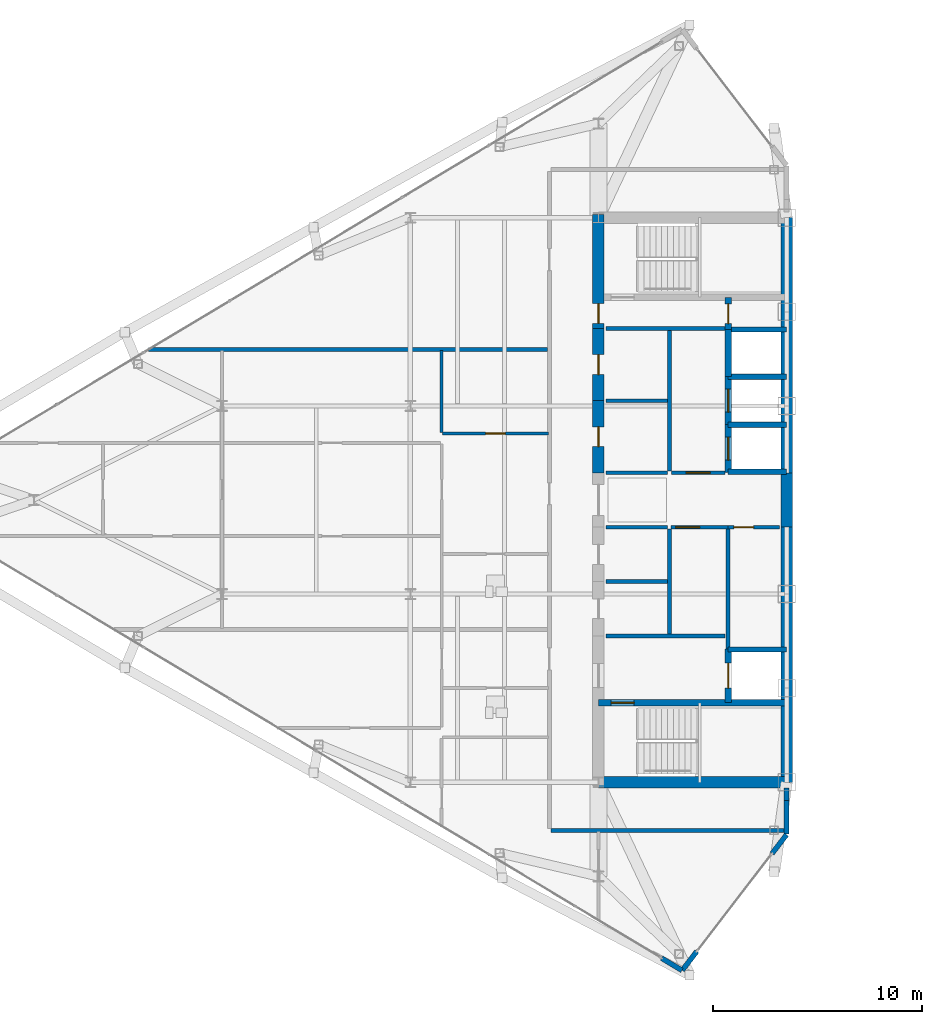
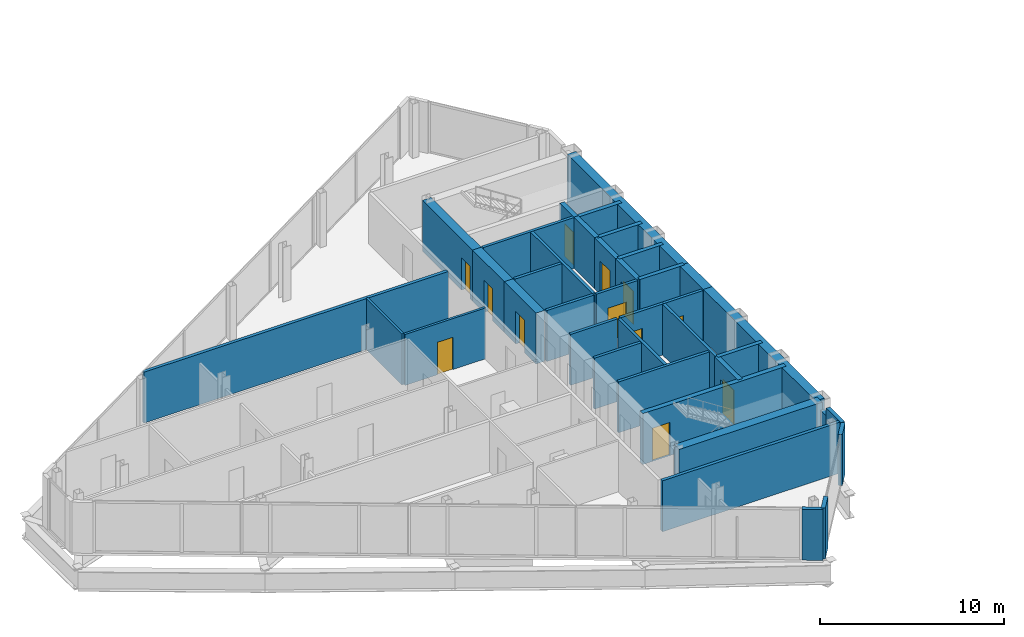
# One storey, part 22 of 29: 39 walls, 12 doors, 12 openings.
"""IFC4 building model written with IfcOpenShell, lengths in metres."""

import ifcopenshell
import ifcopenshell.guid

model = None  # the IFC model being written
_history = None  # IfcOwnerHistory: only IFC2X3 demands one
_inside = {}  # id of a spatial element -> (the spatial element, [elements in it])
_under = {}  # id of a project, library or spatial element -> (it, [spatial elements below it])
_declared = {}  # id of a project -> (the project, [libraries it declares])
_typed = {}  # id of a type object -> (the type object, [elements of that type])
_made_of = {}  # id of a material, layer set ... -> (it, [elements and type objects made of it])


def new_model(schema):
    """Start an empty IFC model of exactly this schema.

    Asked for "IFC4X3", IfcOpenShell would pick the latest addendum, in which some entities
    have other attributes; the version numbers below select the first issue.
    IFC2X3 requires an IfcOwnerHistory on every rooted entity: one is made here for all.
    """
    global model, _history
    if schema == "IFC4X3":
        model = ifcopenshell.file(schema_version=(4, 3, 0, 0))
    else:
        model = ifcopenshell.file(schema=schema)
    _inside.clear()
    _under.clear()
    _declared.clear()
    _typed.clear()
    _made_of.clear()
    _history = None
    if model.schema == "IFC2X3":
        org = make("IfcOrganization", Name="unknown")
        user = make(
            "IfcPersonAndOrganization",
            ThePerson=make("IfcPerson", FamilyName="unknown"),
            TheOrganization=org,
        )
        app = make(
            "IfcApplication",
            ApplicationDeveloper=org,
            Version="unknown",
            ApplicationFullName="unknown",
            ApplicationIdentifier="unknown",
        )
        _history = make(
            "IfcOwnerHistory",
            OwningUser=user,
            OwningApplication=app,
            ChangeAction="ADDED",
            CreationDate=0,
        )
    return model


def make(cls, **values):
    """One entity of the class cls with the attributes given. An attribute that is None is left unset."""
    return model.create_entity(
        cls, **{name: value for name, value in values.items() if value is not None}
    )


def rooted(cls, **values):
    """An entity with a GlobalId (a new one), such as an element, a storey or a relation."""
    return make(cls, GlobalId=ifcopenshell.guid.new(), OwnerHistory=_history, **values)


def si_unit(unit_type, name, prefix=None):
    """IfcSIUnit, for example si_unit("LENGTHUNIT", "METRE", prefix="MILLI")."""
    return make("IfcSIUnit", UnitType=unit_type, Prefix=prefix, Name=name)


def assignment(units):
    """IfcUnitAssignment: the units of a project."""
    return None if units is None else make("IfcUnitAssignment", Units=units)


def point(xyz):
    """IfcCartesianPoint."""
    return None if xyz is None else make("IfcCartesianPoint", Coordinates=xyz)


def direction(xyz):
    """IfcDirection."""
    return None if xyz is None else make("IfcDirection", DirectionRatios=xyz)


def frame(location, z_axis=None, x_axis=None):
    """IfcAxis2Placement3D, a coordinate frame: its origin and axes. An axis left out is left unset."""
    return make(
        "IfcAxis2Placement3D",
        Location=point(location),
        Axis=direction(z_axis),
        RefDirection=direction(x_axis),
    )


def frame_2d(location, x_axis=None):
    """IfcAxis2Placement2D, a coordinate frame in the plane: its origin and x axis."""
    return make(
        "IfcAxis2Placement2D", Location=point(location), RefDirection=direction(x_axis)
    )


def origin():
    """The frame at (0, 0, 0) with its axes left unset."""
    return frame((0.0, 0.0, 0.0))


def place(relative_to, where):
    """IfcLocalPlacement: puts the frame where relative to a parent placement (None: the world)."""
    return make(
        "IfcLocalPlacement", PlacementRelTo=relative_to, RelativePlacement=where
    )


def context(
    kind, dimensions, precision=None, world=None, true_north=None, identifier=None
):
    """IfcGeometricRepresentationContext, for example the 3D "Model" context."""
    return make(
        "IfcGeometricRepresentationContext",
        ContextIdentifier=identifier,
        ContextType=kind,
        CoordinateSpaceDimension=dimensions,
        Precision=precision,
        WorldCoordinateSystem=world,
        TrueNorth=true_north,
    )


def subcontext(parent, identifier, kind, view, scale=None):
    """IfcGeometricRepresentationSubContext, for example "Body" below "Model"."""
    return make(
        "IfcGeometricRepresentationSubContext",
        ContextIdentifier=identifier,
        ContextType=kind,
        ParentContext=parent,
        TargetScale=scale,
        TargetView=view,
    )


def project(units=None, contexts=None):
    """IfcProject with its units and contexts."""
    return rooted(
        "IfcProject",
        Name="project",
        RepresentationContexts=contexts,
        UnitsInContext=assignment(units),
    )


def spatial(cls, under=None, at=None, **own):
    """A site, building, storey or space (cls), placed at a placement, below another one or the project."""
    s = rooted(cls, ObjectPlacement=at, **own)
    if under is not None:
        _under.setdefault(under.id(), (under, []))[1].append(s)
    return s


def profile(cls, at=None, kind="AREA", **sizes):
    """A parametric profile (cls). Its sizes go by their IFC names, for example OverallWidth=200.0."""
    return make(cls, ProfileType=kind, Position=at, **sizes)


def rectangle(**sizes):
    """IfcRectangleProfileDef."""
    return profile("IfcRectangleProfileDef", **sizes)


def extrude(swept, where, along, depth):
    """IfcExtrudedAreaSolid: the profile swept, set in the frame where, extruded along a direction by depth."""
    return make(
        "IfcExtrudedAreaSolid",
        SweptArea=swept,
        Position=where,
        ExtrudedDirection=direction(along),
        Depth=depth,
    )


def shape(context_of_items, identifier, shape_type, items):
    """IfcShapeRepresentation: the items that make up one representation, for example the "Body"."""
    return make(
        "IfcShapeRepresentation",
        ContextOfItems=context_of_items,
        RepresentationIdentifier=identifier,
        RepresentationType=shape_type,
        Items=items,
    )


def source(mapping_origin, context_of_items, identifier, shape_type, items):
    """IfcRepresentationMap: a shape defined once, which mapped items show again and again."""
    return make(
        "IfcRepresentationMap",
        MappingOrigin=mapping_origin,
        MappedRepresentation=shape(context_of_items, identifier, shape_type, items),
    )


def transform(
    local_origin,
    x_axis=None,
    y_axis=None,
    z_axis=None,
    scale=None,
    scale2=None,
    scale3=None,
    uniform=True,
):
    """IfcCartesianTransformationOperator3D, or its non-uniform kind. x_axis, y_axis, z_axis: its Axis1, 2, 3."""
    if uniform:
        return make(
            "IfcCartesianTransformationOperator3D",
            Axis1=direction(x_axis),
            Axis2=direction(y_axis),
            LocalOrigin=point(local_origin),
            Scale=scale,
            Axis3=direction(z_axis),
        )
    return make(
        "IfcCartesianTransformationOperator3DnonUniform",
        Axis1=direction(x_axis),
        Axis2=direction(y_axis),
        LocalOrigin=point(local_origin),
        Scale=scale,
        Axis3=direction(z_axis),
        Scale2=scale2,
        Scale3=scale3,
    )


def mapped(mapping_source, mapping_target):
    """IfcMappedItem: shows the shape of a source again, moved by a transform."""
    return make(
        "IfcMappedItem", MappingSource=mapping_source, MappingTarget=mapping_target
    )


def material(Name=None, Category=None):
    """IfcMaterial."""
    return make("IfcMaterial", Name=Name, Category=Category)


def layer(
    of_material, thickness, ventilated=None, Name=None, Category=None, Priority=None
):
    """IfcMaterialLayer: one layer of a wall or slab, of a material (None: an air gap)."""
    return make(
        "IfcMaterialLayer",
        Material=of_material,
        LayerThickness=thickness,
        IsVentilated=ventilated,
        Name=Name,
        Category=Category,
        Priority=Priority,
    )


def layer_set(layers, Name=None):
    """IfcMaterialLayerSet."""
    return make("IfcMaterialLayerSet", MaterialLayers=layers, LayerSetName=Name)


def made_of(thing, what):
    """Note that an element or type object is made of a material, layer set ...; save() writes the relation."""
    if what is not None:
        _made_of.setdefault(what.id(), (what, []))[1].append(thing)
    return thing


def type_object(cls, material=None, **own):
    """A type object (cls), such as IfcWallType, which elements share."""
    return made_of(rooted(cls, **own), material)


def type_shapes(of_type, sources):
    """Give a type object the sources (RepresentationMaps) that its elements show as mapped items."""
    of_type.RepresentationMaps = sources


def element(
    cls,
    number,
    at=None,
    inside=None,
    cuts=None,
    type_object=None,
    material=None,
    context=None,
    identifier="Body",
    shape_type=None,
    held_by="IfcProductDefinitionShape",
    body=None,
    shapes=None,
    **own,
):
    """One element of the class cls, such as IfcWall. Its Tag is "e" and its number.

    at: its placement. inside: the storey or other place that contains it. cuts: it is an
    opening in that element (IfcRelVoidsElement). A single representation is given by context,
    identifier, shape_type and body (its items); several are given by shapes. held_by: the class
    of the entity that holds the representations. save() writes the other relations.
    """
    e = rooted(cls, Tag="e%d" % number, ObjectPlacement=at, **own)
    if body is not None:
        shapes = [shape(context, identifier, shape_type, body)]
    if shapes is not None:
        e.Representation = make(held_by, Representations=shapes)
    if inside is not None:
        _inside.setdefault(inside.id(), (inside, []))[1].append(e)
    if cuts is not None:
        rooted(
            "IfcRelVoidsElement", RelatingBuildingElement=cuts, RelatedOpeningElement=e
        )
    if type_object is not None:
        _typed.setdefault(type_object.id(), (type_object, []))[1].append(e)
    return made_of(e, material)


def fill(opening, filler):
    """IfcRelFillsElement: the door or window that sits in an opening."""
    return rooted(
        "IfcRelFillsElement",
        RelatingOpeningElement=opening,
        RelatedBuildingElement=filler,
    )


def aggregate(whole, parts):
    """IfcRelAggregates: a whole, such as a stair, and the parts it consists of."""
    return rooted("IfcRelAggregates", RelatingObject=whole, RelatedObjects=parts)


def save(model, path):
    """Write the relations noted so far, then the file.

    IfcRelAggregates (storeys below a building ...), IfcRelContainedInSpatialStructure (elements
    in a storey), IfcRelDefinesByType, IfcRelAssociatesMaterial and IfcRelDeclares: one each for
    every whole, place, type object, material and project.
    """
    for whole, parts in _under.values():
        aggregate(whole, parts)
    for where, things in _inside.values():
        rooted(
            "IfcRelContainedInSpatialStructure",
            RelatedElements=things,
            RelatingStructure=where,
        )
    for kind, things in _typed.values():
        rooted("IfcRelDefinesByType", RelatedObjects=things, RelatingType=kind)
    for what, things in _made_of.values():
        rooted("IfcRelAssociatesMaterial", RelatedObjects=things, RelatingMaterial=what)
    for by, libraries in _declared.values():
        rooted("IfcRelDeclares", RelatingContext=by, RelatedDefinitions=libraries)
    model.write(path)


model = new_model("IFC4")

# Units and contexts
model_context = context("Model", 3, precision=1e-05, world=origin(), true_north=direction((0.0, 1.0)))
body_context = subcontext(model_context, "Body", "Model", "MODEL_VIEW")
ifc_project = project(units=[si_unit("LENGTHUNIT", "METRE"), si_unit("AREAUNIT", "SQUARE_METRE"), si_unit("VOLUMEUNIT", "CUBIC_METRE"), si_unit("PLANEANGLEUNIT", "RADIAN"), si_unit("MASSUNIT", "GRAM", prefix="KILO")], contexts=[model_context])

# Site, building, storey
site_placement = place(None, origin())
site = spatial("IfcSite", under=ifc_project, at=site_placement, CompositionType="ELEMENT")
building_placement = place(site_placement, origin())
building = spatial("IfcBuilding", under=site, at=building_placement, Name="Seokmaru Belvedere", CompositionType="ELEMENT")
storey_placement = place(building_placement, frame((0.0, 0.0, 195.89990234375)))
storey = spatial("IfcBuildingStorey", under=building, at=storey_placement, Name="L52", CompositionType="ELEMENT", Elevation=195.89990234375)

# Wall, opening, door
ifc_material_1 = material(Name="Fire-Rated Gypsum Shaftwall")
ifc_layer_1 = layer(ifc_material_1, 0.14990234375)
ifc_layer_set_1 = layer_set([ifc_layer_1], Name="Fire-Rated Gypsum Shaftwall")
wall_type_1 = type_object("IfcWallType", Name="Apartment Fire-Acoustic Room Partition 150", PredefinedType="PARTITIONING", material=ifc_layer_set_1)
wall_1_placement = place(storey_placement, frame((-43.949951171875, 3.179931640625, 0.0), z_axis=(0.0, 0.0, 1.0), x_axis=(1.0, 0.0, 0.0)))
wall_1 = element("IfcWall", 1, at=wall_1_placement, inside=storey, type_object=wall_type_1, Name="L52 Interior Partition 015", PredefinedType="PARTITIONING", context=body_context, shape_type="SweptSolid", body=[
    extrude(rectangle(XDim=5.050048828125, YDim=0.14990234375, at=frame_2d((2.52490234375, 0.0))), origin(), (0.0, 0.0, 1.0), 3.380126953125),
])
opening_1_placement = place(wall_1_placement, frame((2.050048828125, 0.0, 0.0)))
opening_1 = element("IfcOpeningElement", 2, at=opening_1_placement, cuts=wall_1, Name="Opening D05", PredefinedType="OPENING", context=body_context, shape_type="SweptSolid", body=[
    extrude(rectangle(XDim=0.949951171875, YDim=2.14990234375, at=frame_2d((0.47509765625, 1.074951171875))), frame((0.0, 0.0849609375, 0.0), z_axis=(0.0, -1.0, 0.0), x_axis=(1.0, 0.0, 0.0)), (0.0, 0.0, 1.0), 0.169921875),
])
ifc_material_2 = material(Name="Engineered White Oak Timber", Category="wood")
door_type_1 = type_object("IfcDoorType", Name="Apartment Interior Fire-Rated Oak Door 950x2150", OperationType="NOTDEFINED", PredefinedType="DOOR", material=ifc_material_2)
shared_shape_1 = source(origin(), body_context, "Body", "SweptSolid", [
    extrude(rectangle(XDim=0.949951171875, YDim=2.14990234375, at=frame_2d((0.47509765625, 1.074951171875))), frame((0.0, 0.02490234375, 0.0), z_axis=(0.0, -1.0, 0.0), x_axis=(1.0, 0.0, 0.0)), (0.0, 0.0, 1.0), 0.050048828125),
])
type_shapes(door_type_1, [shared_shape_1])
door_1_placement = place(opening_1_placement, origin())
door_1 = element("IfcDoor", 3, at=door_1_placement, inside=storey, type_object=door_type_1, Name="L52 Interior Door 009", OperationType="SINGLE_SWING_LEFT", OverallHeight=2.14990234375, OverallWidth=0.949951171875, PredefinedType="DOOR", context=body_context, shape_type="MappedRepresentation", body=[
    mapped(shared_shape_1, transform((0.0, 0.0, 0.0), scale=1.0)),
])
fill(opening_1, door_1)

# Walls
wall_2_placement = place(storey_placement, frame((-44.0, 3.23193359375, 0.0), z_axis=(0.0, 0.0, 1.0), x_axis=(0.0, 1.0, 0.0)))
element("IfcWall", 4, at=wall_2_placement, inside=storey, type_object=wall_type_1, Name="L52 Interior Partition 028", PredefinedType="PARTITIONING", context=body_context, shape_type="SweptSolid", body=[
    extrude(rectangle(XDim=3.91796875, YDim=0.14990234375, at=frame_2d((1.958984375, 0.0))), origin(), (0.0, 0.0, 1.0), 3.380126953125),
])
ifc_layer_2 = layer(ifc_material_1, 0.179931640625)
ifc_layer_set_2 = layer_set([ifc_layer_2], Name="Fire-Rated Gypsum Shaftwall")
wall_type_2 = type_object("IfcWallType", Name="Core Service Fire Partition 180", PredefinedType="PARTITIONING", material=ifc_layer_set_2)
for number, where, z_axis, x_axis, name in (
    (5, (-36.14990234375, -6.5, 0.0), (0.0, 0.0, 1.0), (1.0, 0.0, 0.0), "L52 West Firefighting Lobby Partition"),
    (6, (-36.14990234375, 8.199951171875, 0.0), (0.0, 0.0, 1.0), (1.0, 0.0, 0.0), "L52 West Smokeproof Vestibule Partition"),
):
    element("IfcWall", number, at=place(storey_placement, frame(where, z_axis=z_axis, x_axis=x_axis)), inside=storey, type_object=wall_type_2, Name=name, PredefinedType="PARTITIONING", context=body_context, shape_type="SweptSolid", body=[
        extrude(rectangle(XDim=5.699951171875, YDim=0.179931640625, at=frame_2d((2.85009765625, 0.0))), origin(), (0.0, 0.0, 1.0), 3.380126953125),
    ])
wall_3_placement = place(storey_placement, frame((-33.10009765625, -6.419921875, 0.0), z_axis=(0.0, 0.0, 1.0), x_axis=(0.0, 1.0, 0.0)))
element("IfcWall", 7, at=wall_3_placement, inside=storey, type_object=wall_type_2, Name="L52 West South Core Service Back Wall", PredefinedType="PARTITIONING", context=body_context, shape_type="SweptSolid", body=[
    extrude(rectangle(XDim=5.0400390625, YDim=0.179931640625, at=frame_2d((2.52001953125, 0.0))), origin(), (0.0, 0.0, 1.0), 3.380126953125),
])
wall_4_placement = place(storey_placement, frame((-33.10009765625, 1.3798828125, 0.0), z_axis=(0.0, 0.0, 1.0), x_axis=(0.0, 1.0, 0.0)))
element("IfcWall", 8, at=wall_4_placement, inside=storey, type_object=wall_type_2, Name="L52 West North Core Service Back Wall", PredefinedType="PARTITIONING", context=body_context, shape_type="SweptSolid", body=[
    extrude(rectangle(XDim=6.740234375, YDim=0.179931640625, at=frame_2d((3.3701171875, 0.0))), origin(), (0.0, 0.0, 1.0), 3.380126953125),
])

# Wall, opening, door
wall_5_placement = place(storey_placement, frame((-30.300048828125, -1.300048828125, 0.0), z_axis=(0.0, 0.0, 1.0), x_axis=(1.0, 0.0, 0.0)))
wall_5 = element("IfcWall", 9, at=wall_5_placement, inside=storey, type_object=wall_type_2, Name="L52 West South Parcel Vault Foyer Wall", PredefinedType="PARTITIONING", context=body_context, shape_type="SweptSolid", body=[
    extrude(rectangle(XDim=2.449951171875, YDim=0.179931640625, at=frame_2d((1.22509765625, 0.0))), origin(), (0.0, 0.0, 1.0), 3.380126953125),
])
opening_2_placement = place(wall_5_placement, frame((0.27490234375, 0.0, 0.0)))
opening_2 = element("IfcOpeningElement", 10, at=opening_2_placement, cuts=wall_5, Name="Opening D04", PredefinedType="OPENING", context=body_context, shape_type="SweptSolid", body=[
    extrude(rectangle(XDim=0.949951171875, YDim=2.14990234375, at=frame_2d((0.47509765625, 1.074951171875))), frame((0.0, 0.10009765625, 0.0), z_axis=(0.0, -1.0, 0.0), x_axis=(1.0, 0.0, 0.0)), (0.0, 0.0, 1.0), 0.199951171875),
])
ifc_material_3 = material(Name="Fire-Rated Steel Leaf", Category="steel")
door_type_2 = type_object("IfcDoorType", Name="Core Service Room Fire Door 950x2150", OperationType="NOTDEFINED", PredefinedType="DOOR", material=ifc_material_3)
shared_shape_2 = source(origin(), body_context, "Body", "SweptSolid", [
    extrude(rectangle(XDim=0.949951171875, YDim=2.14990234375, at=frame_2d((0.47509765625, 1.074951171875))), frame((0.0, 0.02490234375, 0.0), z_axis=(0.0, -1.0, 0.0), x_axis=(1.0, 0.0, 0.0)), (0.0, 0.0, 1.0), 0.050048828125),
])
type_shapes(door_type_2, [shared_shape_2])
door_2_placement = place(opening_2_placement, origin())
door_2 = element("IfcDoor", 11, at=door_2_placement, inside=storey, type_object=door_type_2, Name="L52 West South Parcel Vault Door", OperationType="SINGLE_SWING_LEFT", OverallHeight=2.14990234375, OverallWidth=0.949951171875, PredefinedType="DOOR", context=body_context, shape_type="MappedRepresentation", body=[
    mapped(shared_shape_2, transform((0.0, 0.0, 0.0), scale=1.0)),
])
fill(opening_2, door_2)

wall_6_placement = place(storey_placement, frame((-33.02001953125, -1.300048828125, 0.0), z_axis=(0.0, 0.0, 1.0), x_axis=(1.0, 0.0, 0.0)))
wall_6 = element("IfcWall", 12, at=wall_6_placement, inside=storey, type_object=wall_type_2, Name="L52 West South Wine Cellar Foyer Wall", PredefinedType="PARTITIONING", context=body_context, shape_type="SweptSolid", body=[
    extrude(rectangle(XDim=2.719970703125, YDim=0.179931640625, at=frame_2d((1.35986328125, 0.0))), origin(), (0.0, 0.0, 1.0), 3.380126953125),
])
opening_3_placement = place(wall_6_placement, frame((0.2099609375, 0.0, 0.0)))
opening_3 = element("IfcOpeningElement", 13, at=opening_3_placement, cuts=wall_6, Name="Opening D02", PredefinedType="OPENING", context=body_context, shape_type="SweptSolid", body=[
    extrude(rectangle(XDim=1.14990234375, YDim=2.199951171875, at=frame_2d((0.574951171875, 1.10009765625))), frame((0.0, 0.10009765625, 0.0), z_axis=(0.0, -1.0, 0.0), x_axis=(1.0, 0.0, 0.0)), (0.0, 0.0, 1.0), 0.199951171875),
])
door_type_3 = type_object("IfcDoorType", Name="Lobby and Vestibule Fire Door 1150x2200", OperationType="NOTDEFINED", PredefinedType="DOOR", material=ifc_material_3)
shared_shape_3 = source(origin(), body_context, "Body", "SweptSolid", [
    extrude(rectangle(XDim=1.14990234375, YDim=2.199951171875, at=frame_2d((0.574951171875, 1.10009765625))), frame((0.0, 0.02490234375, 0.0), z_axis=(0.0, -1.0, 0.0), x_axis=(1.0, 0.0, 0.0)), (0.0, 0.0, 1.0), 0.050048828125),
])
type_shapes(door_type_3, [shared_shape_3])
door_3_placement = place(opening_3_placement, origin())
door_3 = element("IfcDoor", 14, at=door_3_placement, inside=storey, type_object=door_type_3, Name="L52 West South Core Foyer Door", OperationType="SINGLE_SWING_LEFT", OverallHeight=2.199951171875, OverallWidth=1.14990234375, PredefinedType="DOOR", context=body_context, shape_type="MappedRepresentation", body=[
    mapped(shared_shape_3, transform((0.0, 0.0, 0.0), scale=1.0)),
])
fill(opening_3, door_3)

# Wall
wall_7_placement = place(storey_placement, frame((-30.300048828125, -7.1201171875, 0.0), z_axis=(0.0, 0.0, 1.0), x_axis=(0.0, 1.0, 0.0)))
element("IfcWall", 15, at=wall_7_placement, inside=storey, type_object=wall_type_2, Name="L52 West Freed Shaft Vault Partition", PredefinedType="PARTITIONING", context=body_context, shape_type="SweptSolid", body=[
    extrude(rectangle(XDim=5.740234375, YDim=0.179931640625, at=frame_2d((2.8701171875, 0.0))), origin(), (0.0, 0.0, 1.0), 3.380126953125),
])

# Wall, opening, door
wall_8_placement = place(storey_placement, frame((-33.02001953125, 1.300048828125, 0.0), z_axis=(0.0, 0.0, 1.0), x_axis=(1.0, 0.0, 0.0)))
wall_8 = element("IfcWall", 16, at=wall_8_placement, inside=storey, type_object=wall_type_2, Name="L52 West North Lift Lobby Foyer Wall", PredefinedType="PARTITIONING", context=body_context, shape_type="SweptSolid", body=[
    extrude(rectangle(XDim=2.570068359375, YDim=0.179931640625, at=frame_2d((1.28515625, 0.0))), origin(), (0.0, 0.0, 1.0), 3.380126953125),
])
opening_4_placement = place(wall_8_placement, frame((0.7099609375, 0.0, 0.0)))
opening_4 = element("IfcOpeningElement", 17, at=opening_4_placement, cuts=wall_8, Name="Opening D02", PredefinedType="OPENING", context=body_context, shape_type="SweptSolid", body=[
    extrude(rectangle(XDim=1.14990234375, YDim=2.199951171875, at=frame_2d((0.574951171875, 1.10009765625))), frame((0.0, 0.10009765625, 0.0), z_axis=(0.0, -1.0, 0.0), x_axis=(1.0, 0.0, 0.0)), (0.0, 0.0, 1.0), 0.199951171875),
])
door_4_placement = place(opening_4_placement, origin())
door_4 = element("IfcDoor", 18, at=door_4_placement, inside=storey, type_object=door_type_3, Name="L52 West North Lift Lobby Door", OperationType="SINGLE_SWING_RIGHT", OverallHeight=2.199951171875, OverallWidth=1.14990234375, PredefinedType="DOOR", context=body_context, shape_type="MappedRepresentation", body=[
    mapped(shared_shape_3, transform((0.0, 0.0, 0.0), scale=1.0)),
])
fill(opening_4, door_4)

# Walls
for number, where, z_axis, x_axis, name in (
    (19, (-36.14990234375, -1.300048828125, 0.0), (0.0, 0.0, 1.0), (1.0, 0.0, 0.0), "L52 West Foyer Side Wall S"),
    (20, (-36.14990234375, 1.300048828125, 0.0), (0.0, 0.0, 1.0), (1.0, 0.0, 0.0), "L52 West Foyer Side Wall N"),
    (21, (-36.14990234375, -3.89990234375, 0.0), (0.0, 0.0, 1.0), (1.0, 0.0, 0.0), "L52 West Core Service Partition 1"),
    (22, (-36.14990234375, 4.75, 0.0), (0.0, 0.0, 1.0), (1.0, 0.0, 0.0), "L52 West Core Service Partition 2"),
):
    element("IfcWall", number, at=place(storey_placement, frame(where, z_axis=z_axis, x_axis=x_axis)), inside=storey, type_object=wall_type_2, Name=name, PredefinedType="PARTITIONING", context=body_context, shape_type="SweptSolid", body=[
        extrude(rectangle(XDim=2.949951171875, YDim=0.179931640625, at=frame_2d((1.47509765625, 0.0))), origin(), (0.0, 0.0, 1.0), 3.380126953125),
    ])
ifc_material_4 = material(Name="Concrete C50 (50 MPa)", Category="concrete")
ifc_layer_3 = layer(ifc_material_4, 0.25)
ifc_layer_set_3 = layer_set([ifc_layer_3], Name="Concrete C50 (50 MPa)")
wall_type_3 = type_object("IfcWallType", Name="Hoistway Transverse Concrete Divider Wall 250", PredefinedType="SHEAR", material=ifc_layer_set_3)
for number, where, z_axis, x_axis, name in (
    (23, (-30.300048828125, -7.14990234375, 0.0), (0.0, 0.0, 1.0), (1.0, 0.0, 0.0), "L52 West Hoistway Divider Core Wall 1"),
    (24, (-30.300048828125, 1.35009765625, 0.0), (0.0, 0.0, 1.0), (1.0, 0.0, 0.0), "L52 West Hoistway Divider Core Wall 2"),
    (25, (-30.300048828125, 3.60009765625, 0.0), (0.0, 0.0, 1.0), (1.0, 0.0, 0.0), "L52 West Hoistway Divider Core Wall 3"),
    (26, (-30.300048828125, 5.89990234375, 0.0), (0.0, 0.0, 1.0), (1.0, 0.0, 0.0), "L52 West Hoistway Divider Core Wall 4"),
    (27, (-30.300048828125, 8.14990234375, 0.0), (0.0, 0.0, 1.0), (1.0, 0.0, 0.0), "L52 West Hoistway Divider Core Wall 5"),
):
    element("IfcWall", number, at=place(storey_placement, frame(where, z_axis=z_axis, x_axis=x_axis)), inside=storey, type_object=wall_type_3, Name=name, PredefinedType="SHEAR", context=body_context, shape_type="SweptSolid", body=[
        extrude(rectangle(XDim=2.800048828125, YDim=0.25, at=frame_2d((1.39990234375, 0.0))), origin(), (0.0, 0.0, 1.0), 3.380126953125),
    ])
ifc_layer_4 = layer(ifc_material_1, 0.199951171875)
ifc_layer_set_4 = layer_set([ifc_layer_4], Name="Fire-Rated Gypsum Shaftwall")
wall_type_4 = type_object("IfcWallType", Name="Inter-Tenancy Fire Compartment Partition 200", PredefinedType="PARTITIONING", material=ifc_layer_set_4)
wall_9_placement = place(storey_placement, frame((-38.764892578125, -15.800048828125, 0.0), z_axis=(0.0, 0.0, 1.0), x_axis=(1.0, 0.0, 0.0)))
element("IfcWall", 28, at=wall_9_placement, inside=storey, type_object=wall_type_4, Name="L52 Interior Partition 001", PredefinedType="PARTITIONING", context=body_context, shape_type="SweptSolid", body=[
    extrude(rectangle(XDim=11.139892578125, YDim=0.199951171875, at=frame_2d((5.56982421875, 0.0))), origin(), (0.0, 0.0, 1.0), 3.380126953125),
])
wall_10_placement = place(storey_placement, frame((-58.010009765625, 7.199951171875, 0.0), z_axis=(0.0, 0.0, 1.0), x_axis=(1.0, 0.0, 0.0)))
element("IfcWall", 29, at=wall_10_placement, inside=storey, type_object=wall_type_4, Name="L52 Interior Partition 017", PredefinedType="PARTITIONING", context=body_context, shape_type="SweptSolid", body=[
    extrude(rectangle(XDim=19.080078125, YDim=0.199951171875, at=frame_2d((9.5400390625, 0.0))), origin(), (0.0, 0.0, 1.0), 3.380126953125),
])

# Wall, opening, door
ifc_layer_5 = layer(ifc_material_4, 0.300048828125)
ifc_layer_set_5 = layer_set([ifc_layer_5], Name="Concrete C50 (50 MPa)")
wall_type_5 = type_object("IfcWallType", Name="Internal Core Stair and Hoistway Wall 300", PredefinedType="SHEAR", material=ifc_layer_set_5)
wall_11_placement = place(storey_placement, frame((-36.5, -9.699951171875, 0.0), z_axis=(0.0, 0.0, 1.0), x_axis=(1.0, 0.0, 0.0)))
wall_11 = element("IfcWall", 30, at=wall_11_placement, inside=storey, type_object=wall_type_5, Name="L52 West Stair ST-1 Enclosure Wall", PredefinedType="SHEAR", context=body_context, shape_type="SweptSolid", body=[
    extrude(rectangle(XDim=9.0, YDim=0.300048828125, at=frame_2d((4.5, 0.0))), origin(), (0.0, 0.0, 1.0), 3.380126953125),
])
opening_5_placement = place(wall_11_placement, frame((0.60009765625, 0.0, 0.0)))
opening_5 = element("IfcOpeningElement", 31, at=opening_5_placement, cuts=wall_11, Name="Opening D01", PredefinedType="OPENING", context=body_context, shape_type="SweptSolid", body=[
    extrude(rectangle(XDim=1.10009765625, YDim=2.199951171875, at=frame_2d((0.550048828125, 1.10009765625))), frame((0.0, 0.16015625, 0.0), z_axis=(0.0, -1.0, 0.0), x_axis=(1.0, 0.0, 0.0)), (0.0, 0.0, 1.0), 0.320068359375),
])
door_type_4 = type_object("IfcDoorType", Name="Special Escape Stair Smokeproof Fire Door 1100x2200", OperationType="NOTDEFINED", PredefinedType="DOOR", material=ifc_material_3)
shared_shape_4 = source(origin(), body_context, "Body", "SweptSolid", [
    extrude(rectangle(XDim=1.10009765625, YDim=2.199951171875, at=frame_2d((0.550048828125, 1.10009765625))), frame((0.0, 0.02490234375, 0.0), z_axis=(0.0, -1.0, 0.0), x_axis=(1.0, 0.0, 0.0)), (0.0, 0.0, 1.0), 0.050048828125),
])
type_shapes(door_type_4, [shared_shape_4])
door_5_placement = place(opening_5_placement, frame((1.10009765625, 0.0, 0.0), z_axis=(0.0, 0.0, 1.0), x_axis=(-1.0, 0.0, 0.0)))
door_5 = element("IfcDoor", 32, at=door_5_placement, inside=storey, type_object=door_type_4, Name="L52 West Special Escape Stair ST-1 Door", OperationType="SINGLE_SWING_LEFT", OverallHeight=2.199951171875, OverallWidth=1.10009765625, PredefinedType="DOOR", context=body_context, shape_type="MappedRepresentation", body=[
    mapped(shared_shape_4, transform((0.0, 0.0, 0.0), scale=1.0)),
])
fill(opening_5, door_5)

wall_12_placement = place(storey_placement, frame((-30.300048828125, -9.679931640625, 0.0), z_axis=(0.0, 0.0, 1.0), x_axis=(0.0, 1.0, 0.0)))
wall_12 = element("IfcWall", 33, at=wall_12_placement, inside=storey, type_object=wall_type_5, Name="L52 West Firefighting Lift Shaft Front Wall", PredefinedType="SHEAR", context=body_context, shape_type="SweptSolid", body=[
    extrude(rectangle(XDim=2.559814453125, YDim=0.300048828125, at=frame_2d((1.27978515625, 0.0))), origin(), (0.0, 0.0, 1.0), 3.380126953125),
])
opening_6_placement = place(wall_12_placement, frame((0.679931640625, 0.0, 0.0)))
opening_6 = element("IfcOpeningElement", 34, at=opening_6_placement, cuts=wall_12, Name="Opening LD2", PredefinedType="OPENING", context=body_context, shape_type="SweptSolid", body=[
    extrude(rectangle(XDim=1.199951171875, YDim=2.25, at=frame_2d((0.60009765625, 1.125))), frame((0.0, 0.16015625, 0.0), z_axis=(0.0, -1.0, 0.0), x_axis=(1.0, 0.0, 0.0)), (0.0, 0.0, 1.0), 0.320068359375),
])
ifc_material_5 = material(Name="Stainless Steel 316", Category="steel")
door_type_5 = type_object("IfcDoorType", Name="Firefighting Lift Sliding Landing Door 1200x2250", OperationType="DOUBLE_DOOR_SLIDING", PredefinedType="DOOR", material=ifc_material_5)
shared_shape_5 = source(origin(), body_context, "Body", "SweptSolid", [
    extrude(rectangle(XDim=1.199951171875, YDim=2.25, at=frame_2d((0.60009765625, 1.125))), frame((0.0, 0.02490234375, 0.0), z_axis=(0.0, -1.0, 0.0), x_axis=(1.0, 0.0, 0.0)), (0.0, 0.0, 1.0), 0.050048828125),
])
type_shapes(door_type_5, [shared_shape_5])
door_6_placement = place(opening_6_placement, origin())
door_6 = element("IfcDoor", 35, at=door_6_placement, inside=storey, type_object=door_type_5, Name="L52 West Firefighting Lift Landing Door", OperationType="DOUBLE_DOOR_SLIDING", OverallHeight=2.25, OverallWidth=1.199951171875, PredefinedType="DOOR", context=body_context, shape_type="MappedRepresentation", body=[
    mapped(shared_shape_5, transform((0.0, 0.0, 0.0), scale=1.0)),
])
fill(opening_6, door_6)

wall_13_placement = place(storey_placement, frame((-30.300048828125, 1.320068359375, 0.0), z_axis=(0.0, 0.0, 1.0), x_axis=(0.0, 1.0, 0.0)))
wall_13 = element("IfcWall", 36, at=wall_13_placement, inside=storey, type_object=wall_type_5, Name="L52 West North Hoistway Wall PH1", PredefinedType="SHEAR", context=body_context, shape_type="SweptSolid", body=[
    extrude(rectangle(XDim=2.280029296875, YDim=0.300048828125, at=frame_2d((1.14013671875, 0.0))), origin(), (0.0, 0.0, 1.0), 3.380126953125),
])
opening_7_placement = place(wall_13_placement, frame((0.590087890625, 0.0, 0.0)))
opening_7 = element("IfcOpeningElement", 37, at=opening_7_placement, cuts=wall_13, Name="Opening LD1", PredefinedType="OPENING", context=body_context, shape_type="SweptSolid", body=[
    extrude(rectangle(XDim=1.10009765625, YDim=2.199951171875, at=frame_2d((0.550048828125, 1.10009765625))), frame((0.0, 0.16015625, 0.0), z_axis=(0.0, -1.0, 0.0), x_axis=(1.0, 0.0, 0.0)), (0.0, 0.0, 1.0), 0.320068359375),
])
door_type_6 = type_object("IfcDoorType", Name="Passenger Lift Sliding Landing Door 1100x2200", OperationType="DOUBLE_DOOR_SLIDING", PredefinedType="DOOR", material=ifc_material_5)
shared_shape_6 = source(origin(), body_context, "Body", "SweptSolid", [
    extrude(rectangle(XDim=1.10009765625, YDim=2.199951171875, at=frame_2d((0.550048828125, 1.10009765625))), frame((0.0, 0.02490234375, 0.0), z_axis=(0.0, -1.0, 0.0), x_axis=(1.0, 0.0, 0.0)), (0.0, 0.0, 1.0), 0.050048828125),
])
type_shapes(door_type_6, [shared_shape_6])
door_7_placement = place(opening_7_placement, origin())
door_7 = element("IfcDoor", 38, at=door_7_placement, inside=storey, type_object=door_type_6, Name="L52 West High-Rise Lift PH-1 Landing Door", OperationType="DOUBLE_DOOR_SLIDING", OverallHeight=2.199951171875, OverallWidth=1.10009765625, PredefinedType="DOOR", context=body_context, shape_type="MappedRepresentation", body=[
    mapped(shared_shape_6, transform((0.0, 0.0, 0.0), scale=1.0)),
])
fill(opening_7, door_7)

wall_14_placement = place(storey_placement, frame((-30.300048828125, 3.60009765625, 0.0), z_axis=(0.0, 0.0, 1.0), x_axis=(0.0, 1.0, 0.0)))
wall_14 = element("IfcWall", 39, at=wall_14_placement, inside=storey, type_object=wall_type_5, Name="L52 West North Hoistway Wall PH2", PredefinedType="SHEAR", context=body_context, shape_type="SweptSolid", body=[
    extrude(rectangle(XDim=2.2998046875, YDim=0.300048828125, at=frame_2d((1.14990234375, 0.0))), origin(), (0.0, 0.0, 1.0), 3.380126953125),
])
opening_8_placement = place(wall_14_placement, frame((0.60009765625, 0.0, 0.0)))
opening_8 = element("IfcOpeningElement", 40, at=opening_8_placement, cuts=wall_14, Name="Opening LD1", PredefinedType="OPENING", context=body_context, shape_type="SweptSolid", body=[
    extrude(rectangle(XDim=1.10009765625, YDim=2.199951171875, at=frame_2d((0.550048828125, 1.10009765625))), frame((0.0, 0.16015625, 0.0), z_axis=(0.0, -1.0, 0.0), x_axis=(1.0, 0.0, 0.0)), (0.0, 0.0, 1.0), 0.320068359375),
])
door_8_placement = place(opening_8_placement, origin())
door_8 = element("IfcDoor", 41, at=door_8_placement, inside=storey, type_object=door_type_6, Name="L52 West High-Rise Lift PH-2 Landing Door", OperationType="DOUBLE_DOOR_SLIDING", OverallHeight=2.199951171875, OverallWidth=1.10009765625, PredefinedType="DOOR", context=body_context, shape_type="MappedRepresentation", body=[
    mapped(shared_shape_6, transform((0.0, 0.0, 0.0), scale=1.0)),
])
fill(opening_8, door_8)

# Wall
wall_15_placement = place(storey_placement, frame((-30.300048828125, 5.89990234375, 0.0), z_axis=(0.0, 0.0, 1.0), x_axis=(0.0, 1.0, 0.0)))
element("IfcWall", 42, at=wall_15_placement, inside=storey, type_object=wall_type_5, Name="L52 West North Hoistway Wall OBS", PredefinedType="SHEAR", context=body_context, shape_type="SweptSolid", body=[
    extrude(rectangle(XDim=2.25, YDim=0.300048828125, at=frame_2d((1.125, 0.0))), origin(), (0.0, 0.0, 1.0), 3.380126953125),
])

# Wall, opening, door
wall_16_placement = place(storey_placement, frame((-30.300048828125, 8.14990234375, 0.0), z_axis=(0.0, 0.0, 1.0), x_axis=(0.0, 1.0, 0.0)))
wall_16 = element("IfcWall", 43, at=wall_16_placement, inside=storey, type_object=wall_type_5, Name="L52 West Electrical Riser Front Wall", PredefinedType="SHEAR", context=body_context, shape_type="SweptSolid", body=[
    extrude(rectangle(XDim=1.530029296875, YDim=0.300048828125, at=frame_2d((0.76513671875, 0.0))), origin(), (0.0, 0.0, 1.0), 3.380126953125),
])
opening_9_placement = place(wall_16_placement, frame((0.284912109375, 0.0, 0.0)))
opening_9 = element("IfcOpeningElement", 44, at=opening_9_placement, cuts=wall_16, Name="Opening D04", PredefinedType="OPENING", context=body_context, shape_type="SweptSolid", body=[
    extrude(rectangle(XDim=0.949951171875, YDim=2.14990234375, at=frame_2d((0.47509765625, 1.074951171875))), frame((0.0, 0.16015625, 0.0), z_axis=(0.0, -1.0, 0.0), x_axis=(1.0, 0.0, 0.0)), (0.0, 0.0, 1.0), 0.320068359375),
])
door_9_placement = place(opening_9_placement, origin())
door_9 = element("IfcDoor", 45, at=door_9_placement, inside=storey, type_object=door_type_2, Name="L52 West Electrical Riser Access Door", OperationType="SINGLE_SWING_LEFT", OverallHeight=2.14990234375, OverallWidth=0.949951171875, PredefinedType="DOOR", context=body_context, shape_type="MappedRepresentation", body=[
    mapped(shared_shape_2, transform((0.0, 0.0, 0.0), scale=1.0)),
])
fill(opening_9, door_9)

# Walls
ifc_layer_6 = layer(ifc_material_4, 0.550048828125)
ifc_layer_set_6 = layer_set([ifc_layer_6], Name="Concrete C50 (50 MPa)")
wall_type_6 = type_object("IfcWallType", Name="Mid-High Reinforced Concrete Core Wall 550", PredefinedType="SHEAR", material=ifc_layer_set_6)
for number, where, z_axis, x_axis, name in (
    (46, (-27.5, -13.5, 0.0), (0.0, 0.0, 1.0), (0.0, 1.0, 0.0), "L52 West Portal Spine Core Wall South"),
    (47, (-27.5, 1.300048828125, 0.0), (0.0, 0.0, 1.0), (0.0, 1.0, 0.0), "L52 West Portal Spine Core Wall North"),
):
    element("IfcWall", number, at=place(storey_placement, frame(where, z_axis=z_axis, x_axis=x_axis)), inside=storey, type_object=wall_type_6, Name=name, PredefinedType="SHEAR", context=body_context, shape_type="SweptSolid", body=[
        extrude(rectangle(XDim=12.199951171875, YDim=0.550048828125, at=frame_2d((6.10009765625, 0.0))), origin(), (0.0, 0.0, 1.0), 3.380126953125),
    ])
wall_17_placement = place(storey_placement, frame((-27.5, -1.300048828125, 0.0), z_axis=(0.0, 0.0, 1.0), x_axis=(0.0, 1.0, 0.0)))
element("IfcWall", 48, at=wall_17_placement, inside=storey, type_object=wall_type_6, Name="L52 West Portal Spine Core Wall Center", PredefinedType="SHEAR", context=body_context, shape_type="SweptSolid", body=[
    extrude(rectangle(XDim=2.60009765625, YDim=0.550048828125, at=frame_2d((1.300048828125, 0.0))), origin(), (0.0, 0.0, 1.0), 3.380126953125),
])
wall_18_placement = place(storey_placement, frame((-36.5, -13.5, 0.0), z_axis=(0.0, 0.0, 1.0), x_axis=(1.0, 0.0, 0.0)))
element("IfcWall", 49, at=wall_18_placement, inside=storey, type_object=wall_type_6, Name="L52 West South Core Wall", PredefinedType="SHEAR", context=body_context, shape_type="SweptSolid", body=[
    extrude(rectangle(XDim=9.0, YDim=0.550048828125, at=frame_2d((4.5, 0.0))), origin(), (0.0, 0.0, 1.0), 3.380126953125),
])

# Wall, opening, door
wall_19_placement = place(storey_placement, frame((-36.5, 8.199951171875, 0.0), z_axis=(0.0, 0.0, 1.0), x_axis=(0.0, 1.0, 0.0)))
wall_19 = element("IfcWall", 50, at=wall_19_placement, inside=storey, type_object=wall_type_6, Name="L52 West West Core Wall VST", PredefinedType="SHEAR", context=body_context, shape_type="SweptSolid", body=[
    extrude(rectangle(XDim=5.449951171875, YDim=0.550048828125, at=frame_2d((2.72509765625, 0.0))), origin(), (0.0, 0.0, 1.0), 3.380126953125),
])
opening_10_placement = place(wall_19_placement, frame((0.2451171875, 0.0, 0.0)))
opening_10 = element("IfcOpeningElement", 51, at=opening_10_placement, cuts=wall_19, Name="Opening D04", PredefinedType="OPENING", context=body_context, shape_type="SweptSolid", body=[
    extrude(rectangle(XDim=0.949951171875, YDim=2.14990234375, at=frame_2d((0.47509765625, 1.074951171875))), frame((0.0, 0.28515625, 0.0), z_axis=(0.0, -1.0, 0.0), x_axis=(1.0, 0.0, 0.0)), (0.0, 0.0, 1.0), 0.570068359375),
])
door_10_placement = place(opening_10_placement, frame((0.949951171875, 0.0, 0.0), z_axis=(0.0, 0.0, 1.0), x_axis=(-1.0, 0.0, 0.0)))
door_10 = element("IfcDoor", 52, at=door_10_placement, inside=storey, type_object=door_type_2, Name="L52 West Smokeproof Vestibule Door", OperationType="SINGLE_SWING_RIGHT", OverallHeight=2.14990234375, OverallWidth=0.949951171875, PredefinedType="DOOR", context=body_context, shape_type="MappedRepresentation", body=[
    mapped(shared_shape_2, transform((0.0, 0.0, 0.0), scale=1.0)),
])
fill(opening_10, door_10)

wall_20_placement = place(storey_placement, frame((-36.5, 1.300048828125, 0.0), z_axis=(0.0, 0.0, 1.0), x_axis=(0.0, 1.0, 0.0)))
wall_20 = element("IfcWall", 53, at=wall_20_placement, inside=storey, type_object=wall_type_6, Name="L52 West West Core Wall CS3", PredefinedType="SHEAR", context=body_context, shape_type="SweptSolid", body=[
    extrude(rectangle(XDim=3.449951171875, YDim=0.550048828125, at=frame_2d((1.72509765625, 0.0))), origin(), (0.0, 0.0, 1.0), 3.380126953125),
])
opening_11_placement = place(wall_20_placement, frame((1.25, 0.0, 0.0)))
opening_11 = element("IfcOpeningElement", 54, at=opening_11_placement, cuts=wall_20, Name="Opening D04", PredefinedType="OPENING", context=body_context, shape_type="SweptSolid", body=[
    extrude(rectangle(XDim=0.949951171875, YDim=2.14990234375, at=frame_2d((0.47509765625, 1.074951171875))), frame((0.0, 0.28515625, 0.0), z_axis=(0.0, -1.0, 0.0), x_axis=(1.0, 0.0, 0.0)), (0.0, 0.0, 1.0), 0.570068359375),
])
door_11_placement = place(opening_11_placement, origin())
door_11 = element("IfcDoor", 55, at=door_11_placement, inside=storey, type_object=door_type_2, Name="L52 West Core Service Room Door 3", OperationType="SINGLE_SWING_LEFT", OverallHeight=2.14990234375, OverallWidth=0.949951171875, PredefinedType="DOOR", context=body_context, shape_type="MappedRepresentation", body=[
    mapped(shared_shape_2, transform((0.0, 0.0, 0.0), scale=1.0)),
])
fill(opening_11, door_11)

wall_21_placement = place(storey_placement, frame((-36.5, 4.75, 0.0), z_axis=(0.0, 0.0, 1.0), x_axis=(0.0, 1.0, 0.0)))
wall_21 = element("IfcWall", 56, at=wall_21_placement, inside=storey, type_object=wall_type_6, Name="L52 West West Core Wall CS4", PredefinedType="SHEAR", context=body_context, shape_type="SweptSolid", body=[
    extrude(rectangle(XDim=3.449951171875, YDim=0.550048828125, at=frame_2d((1.72509765625, 0.0))), origin(), (0.0, 0.0, 1.0), 3.380126953125),
])
opening_12_placement = place(wall_21_placement, frame((1.25, 0.0, 0.0)))
opening_12 = element("IfcOpeningElement", 57, at=opening_12_placement, cuts=wall_21, Name="Opening D04", PredefinedType="OPENING", context=body_context, shape_type="SweptSolid", body=[
    extrude(rectangle(XDim=0.949951171875, YDim=2.14990234375, at=frame_2d((0.47509765625, 1.074951171875))), frame((0.0, 0.28515625, 0.0), z_axis=(0.0, -1.0, 0.0), x_axis=(1.0, 0.0, 0.0)), (0.0, 0.0, 1.0), 0.570068359375),
])
door_12_placement = place(opening_12_placement, origin())
door_12 = element("IfcDoor", 58, at=door_12_placement, inside=storey, type_object=door_type_2, Name="L52 West Core Service Room Door 4", OperationType="SINGLE_SWING_RIGHT", OverallHeight=2.14990234375, OverallWidth=0.949951171875, PredefinedType="DOOR", context=body_context, shape_type="MappedRepresentation", body=[
    mapped(shared_shape_2, transform((0.0, 0.0, 0.0), scale=1.0)),
])
fill(opening_12, door_12)

# Walls
ifc_material_6 = material(Name="Anodised Bronze Aluminium", Category="aluminium")
ifc_layer_7 = layer(ifc_material_6, 0.239990234375)
ifc_layer_set_7 = layer_set([ifc_layer_7], Name="Anodised Bronze Aluminium")
wall_type_7 = type_object("IfcWallType", Name="Tower Corner Spandrel Closure Wall 240", PredefinedType="SOLIDWALL", material=ifc_layer_set_7)
wall_22_placement = place(storey_placement, frame((-27.5, -15.97998046875, 0.0), z_axis=(0.0, 0.0, 1.0), x_axis=(0.0, 1.0, 0.0)))
element("IfcWall", 59, at=wall_22_placement, inside=storey, type_object=wall_type_7, Name="L52 W Shoulder Closure Wall 1", PredefinedType="SOLIDWALL", context=body_context, shape_type="SweptSolid", body=[
    extrude(rectangle(XDim=1.60009765625, YDim=0.239990234375, at=frame_2d((0.800048828125, 0.0))), origin(), (0.0, 0.0, 1.0), 3.380126953125),
])
wall_23_placement = place(storey_placement, frame((-27.5, -14.3798828125, 0.0), z_axis=(0.0, 0.0, 1.0), x_axis=(0.0, 1.0, 0.0)))
element("IfcWall", 60, at=wall_23_placement, inside=storey, type_object=wall_type_7, Name="L52 W Shoulder Closure Wall 1 Part 2", PredefinedType="SOLIDWALL", context=body_context, shape_type="SweptSolid", body=[
    extrude(rectangle(XDim=0.599853515625, YDim=0.239990234375, at=frame_2d((0.2998046875, 0.0))), origin(), (0.0, 0.0, 1.0), 2.880126953125),
])
for number, where, z_axis, x_axis, name in (
    (61, (-33.486083984375, -21.908203125, 0.0), (0.0, 0.0, 1.0), (0.85743623509, -0.514590228002, 0.0), "L52 W Corner Closure Pier 5B"),
    (62, (-32.493896484375, -22.4921875, 0.0), (0.0, 0.0, 1.0), (0.609617623633, 0.792695624408, 0.0), "L52 W Corner Closure Pier 6A"),
    (63, (-28.201171875, -16.91162109375, 0.0), (0.0, 0.0, 1.0), (0.609617623633, 0.792695624408, 0.0), "L52 W Corner Closure Pier 6B"),
):
    element("IfcWall", number, at=place(storey_placement, frame(where, z_axis=z_axis, x_axis=x_axis)), inside=storey, type_object=wall_type_7, Name=name, PredefinedType="SOLIDWALL", context=body_context, shape_type="SweptSolid", body=[
        extrude(rectangle(XDim=1.14013671875, YDim=0.239990234375, at=frame_2d((0.570068359375, 0.0))), origin(), (0.0, 0.0, 1.0), 3.380126953125),
    ])

save(model, "model.ifc")
